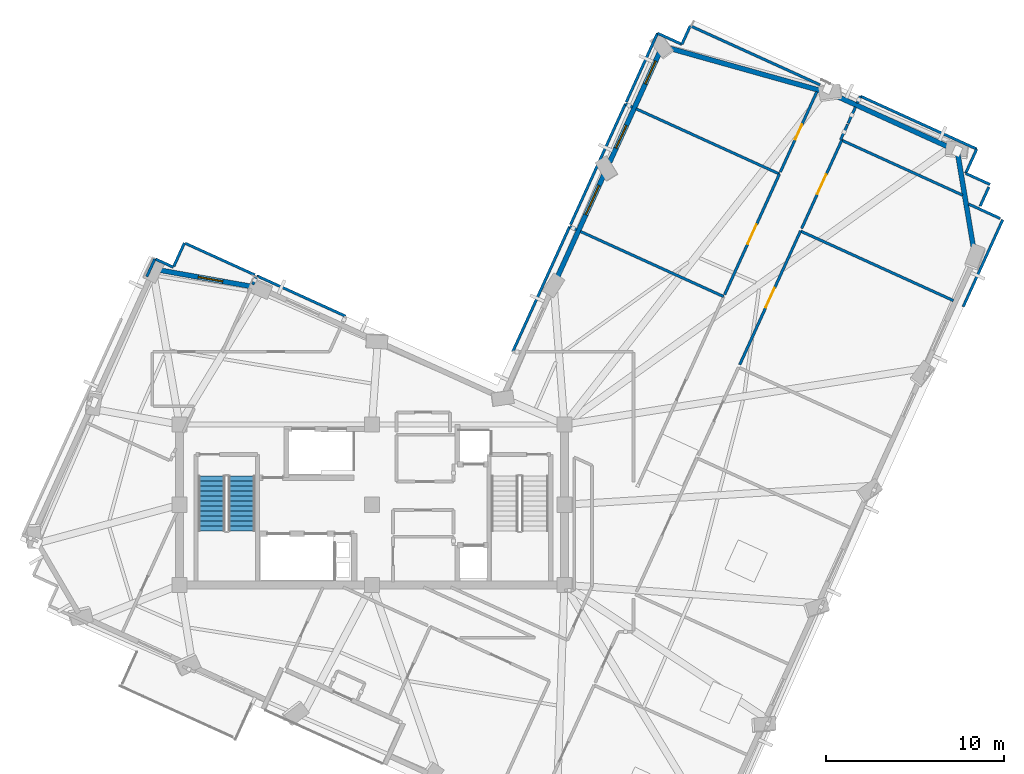
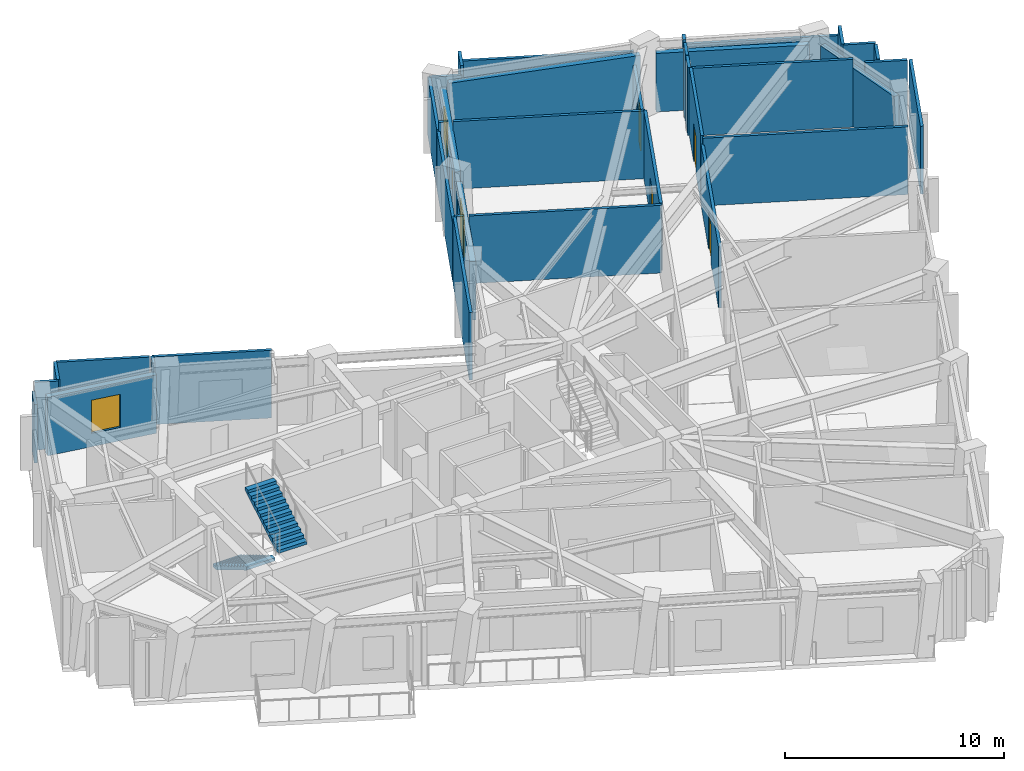
# One storey, part 8 of 13: 37 walls, 4 doors, 4 windows, 2 stair flights, 8 openings, 1 element without a shape of its own.
"""IFC4 building model written with IfcOpenShell, lengths in metres."""

from ifc_helpers import new_model, si_unit, direction, frame, frame_2d, origin, place, context, subcontext, project, spatial, polyline, rectangle, outline, extrude, material, layer, layer_set, type_object, element, fill, aggregate, save


model = new_model("IFC4")

# Units and contexts
model_context = context("Model", 3, precision=1e-05, world=origin(), true_north=direction((0.0, 1.0)))
body_context = subcontext(model_context, "Body", "Model", "MODEL_VIEW")
ifc_project = project(units=[si_unit("LENGTHUNIT", "METRE"), si_unit("AREAUNIT", "SQUARE_METRE"), si_unit("VOLUMEUNIT", "CUBIC_METRE"), si_unit("PLANEANGLEUNIT", "RADIAN"), si_unit("MASSUNIT", "GRAM", prefix="KILO")], contexts=[model_context])

# Site, building, storey
site_placement = place(None, origin())
site = spatial("IfcSite", under=ifc_project, at=site_placement, CompositionType="ELEMENT")
building_placement = place(site_placement, origin())
building = spatial("IfcBuilding", under=site, at=building_placement, Name="Gaonmaruhae Medical Tower", CompositionType="ELEMENT")
storey_placement = place(building_placement, frame((0.0, 0.0, 304.60009765625)))
storey = spatial("IfcBuildingStorey", under=building, at=storey_placement, Name="L73", CompositionType="ELEMENT", Elevation=304.60009765625)

# Walls
ifc_material_1 = material(Name="Precast concrete C45/55", Category="concrete")
ifc_layer_1 = layer(ifc_material_1, 0.280029296875)
ifc_layer_set_1 = layer_set([ifc_layer_1], Name="Precast concrete C45/55")
wall_type_1 = type_object("IfcWallType", Name="EW-280 Upper Precast Masonry-Frame Facade Wall", PredefinedType="SOLIDWALL", material=ifc_layer_set_1)
wall_1_placement = place(storey_placement, frame((57.682373046875, 31.967529296875, 0.0), z_axis=(0.0, 0.0, 1.0), x_axis=(0.165049562629, -0.986285274085, 0.0)))
element("IfcWall", 1, at=wall_1_placement, inside=storey, type_object=wall_type_1, Name="L73 Precast Masonry-Frame Wall S06-E01", PredefinedType="SOLIDWALL", context=body_context, shape_type="SweptSolid", body=[
    extrude(rectangle(XDim=5.2939453125, YDim=0.280029296875, at=frame_2d((2.64697265625, 0.0))), origin(), (0.0, 0.0, 1.0), 3.264892578125),
])
wall_2_placement = place(storey_placement, frame((50.776611328125, 35.280517578125, 0.0), z_axis=(0.0, 0.0, 1.0), x_axis=(0.910317820998, -0.413909971821, 0.0)))
element("IfcWall", 2, at=wall_2_placement, inside=storey, type_object=wall_type_1, Name="L73 Precast Masonry-Frame Wall E01-E02", PredefinedType="SOLIDWALL", context=body_context, shape_type="SweptSolid", body=[
    extrude(rectangle(XDim=7.046142578125, YDim=0.280029296875, at=frame_2d((3.52294921875, 0.0))), origin(), (0.0, 0.0, 1.0), 3.264892578125),
])
wall_3_placement = place(storey_placement, frame((41.36328125, 37.958740234375, 0.0), z_axis=(0.0, 0.0, 1.0), x_axis=(0.962879231583, -0.269932557107, 0.0)))
element("IfcWall", 3, at=wall_3_placement, inside=storey, type_object=wall_type_1, Name="L73 Precast Masonry-Frame Wall E02-E03", PredefinedType="SOLIDWALL", context=body_context, shape_type="SweptSolid", body=[
    extrude(rectangle(XDim=9.036376953125, YDim=0.280029296875, at=frame_2d((4.51806640625, 0.0))), origin(), (0.0, 0.0, 1.0), 3.264892578125),
])

# Wall, openings, windows
wall_4_placement = place(storey_placement, frame((38.141357421875, 31.526611328125, 0.0), z_axis=(0.0, 0.0, 1.0), x_axis=(0.413895186135, 0.910324543717, 0.0)))
wall_4 = element("IfcWall", 4, at=wall_4_placement, inside=storey, type_object=wall_type_1, Name="L73 Precast Masonry-Frame Wall E03-EN01", PredefinedType="SOLIDWALL", context=body_context, shape_type="SweptSolid", body=[
    extrude(rectangle(XDim=6.77978515625, YDim=0.280029296875, at=frame_2d((3.389892578125, 0.0))), origin(), (0.0, 0.0, 1.0), 3.264892578125),
])
opening_1_placement = place(wall_4_placement, frame((0.865966796875, 0.0, 0.75)))
opening_1 = element("IfcOpeningElement", 5, at=opening_1_placement, cuts=wall_4, Name="Opening WN-03", PredefinedType="OPENING", context=body_context, shape_type="SweptSolid", body=[
    extrude(rectangle(XDim=1.39990234375, YDim=1.85009765625, at=frame_2d((0.699951171875, 0.925048828125))), frame((0.0, 0.14990234375, 0.0), z_axis=(0.0, -1.0, 0.0), x_axis=(1.0, 0.0, 0.0)), (0.0, 0.0, 1.0), 0.300048828125),
])
opening_2_placement = place(wall_4_placement, frame((4.828857421875, 0.0, 0.75)))
opening_2 = element("IfcOpeningElement", 6, at=opening_2_placement, cuts=wall_4, Name="Opening WN-03", PredefinedType="OPENING", context=body_context, shape_type="SweptSolid", body=[
    extrude(rectangle(XDim=1.39990234375, YDim=1.85009765625, at=frame_2d((0.699951171875, 0.925048828125))), frame((0.0, 0.14990234375, 0.0), z_axis=(0.0, -1.0, 0.0), x_axis=(1.0, 0.0, 0.0)), (0.0, 0.0, 1.0), 0.300048828125),
])
ifc_material_2 = material(Name="Anodised aluminium and Low-E double glazing", Category="aluminium")
window_type_1 = type_object("IfcWindowType", Name="WN-03 Isolation Ward Punched Window 1400x1850", PartitioningType="SINGLE_PANEL", PredefinedType="WINDOW", material=ifc_material_2)
window_1_placement = place(opening_1_placement, origin())
window_1 = element("IfcWindow", 7, at=window_1_placement, inside=storey, type_object=window_type_1, Name="L73 Modular Facade Window E03", OverallHeight=1.85009765625, OverallWidth=1.39990234375, PartitioningType="SINGLE_PANEL", PredefinedType="WINDOW", context=body_context, shape_type="SweptSolid", body=[
    extrude(rectangle(XDim=1.39990234375, YDim=1.85009765625, at=frame_2d((0.699951171875, 0.925048828125))), frame((0.0, 0.030029296875, 0.0), z_axis=(0.0, -1.0, 0.0), x_axis=(1.0, 0.0, 0.0)), (0.0, 0.0, 1.0), 0.06005859375),
])
fill(opening_1, window_1)
window_2_placement = place(opening_2_placement, origin())
window_2 = element("IfcWindow", 8, at=window_2_placement, inside=storey, type_object=window_type_1, Name="L73 Modular Facade Window E03B", OverallHeight=1.85009765625, OverallWidth=1.39990234375, PartitioningType="SINGLE_PANEL", PredefinedType="WINDOW", context=body_context, shape_type="SweptSolid", body=[
    extrude(rectangle(XDim=1.39990234375, YDim=1.85009765625, at=frame_2d((0.699951171875, 0.925048828125))), frame((0.0, 0.030029296875, 0.0), z_axis=(0.0, -1.0, 0.0), x_axis=(1.0, 0.0, 0.0)), (0.0, 0.0, 1.0), 0.06005859375),
])
fill(opening_2, window_2)

# Wall, opening, window
wall_5_placement = place(storey_placement, frame((35.163818359375, 24.977294921875, 0.0), z_axis=(0.0, 0.0, 1.0), x_axis=(0.413860341101, 0.910340385825, 0.0)))
wall_5 = element("IfcWall", 9, at=wall_5_placement, inside=storey, type_object=wall_type_1, Name="L73 Precast Masonry-Frame Wall EN01-EN02", PredefinedType="SOLIDWALL", context=body_context, shape_type="SweptSolid", body=[
    extrude(rectangle(XDim=6.409423828125, YDim=0.280029296875, at=frame_2d((3.20458984375, 0.0))), origin(), (0.0, 0.0, 1.0), 3.264892578125),
])
opening_3_placement = place(wall_5_placement, frame((3.95556640625, 0.0, 0.75)))
opening_3 = element("IfcOpeningElement", 10, at=opening_3_placement, cuts=wall_5, Name="Opening WN-04", PredefinedType="OPENING", context=body_context, shape_type="SweptSolid", body=[
    extrude(rectangle(XDim=1.800048828125, YDim=2.050048828125, at=frame_2d((0.89990234375, 1.02490234375))), frame((0.0, 0.14990234375, 0.0), z_axis=(0.0, -1.0, 0.0), x_axis=(1.0, 0.0, 0.0)), (0.0, 0.0, 1.0), 0.300048828125),
])
window_type_2 = type_object("IfcWindowType", Name="WN-04 Clinic & Consult Punched Window 1800x2050", PartitioningType="SINGLE_PANEL", PredefinedType="WINDOW", material=ifc_material_2)
window_3_placement = place(opening_3_placement, origin())
window_3 = element("IfcWindow", 11, at=window_3_placement, inside=storey, type_object=window_type_2, Name="L73 Modular Facade Window EN01", OverallHeight=2.050048828125, OverallWidth=1.800048828125, PartitioningType="SINGLE_PANEL", PredefinedType="WINDOW", context=body_context, shape_type="SweptSolid", body=[
    extrude(rectangle(XDim=1.800048828125, YDim=2.050048828125, at=frame_2d((0.89990234375, 1.02490234375))), frame((0.0, 0.030029296875, 0.0), z_axis=(0.0, -1.0, 0.0), x_axis=(1.0, 0.0, 0.0)), (0.0, 0.0, 1.0), 0.06005859375),
])
fill(opening_3, window_3)

wall_6_placement = place(storey_placement, frame((12.940673828125, 25.455078125, 0.0), z_axis=(0.0, 0.0, 1.0), x_axis=(0.984598986334, -0.174828018664, 0.0)))
wall_6 = element("IfcWall", 12, at=wall_6_placement, inside=storey, type_object=wall_type_1, Name="L73 Precast Masonry-Frame Wall NE02-N01", PredefinedType="SOLIDWALL", context=body_context, shape_type="SweptSolid", body=[
    extrude(rectangle(XDim=5.30224609375, YDim=0.280029296875, at=frame_2d((2.651123046875, 0.0))), origin(), (0.0, 0.0, 1.0), 3.264892578125),
])
opening_4_placement = place(wall_6_placement, frame((2.13671875, 0.0, 0.75)))
opening_4 = element("IfcOpeningElement", 13, at=opening_4_placement, cuts=wall_6, Name="Opening WN-03", PredefinedType="OPENING", context=body_context, shape_type="SweptSolid", body=[
    extrude(rectangle(XDim=1.39990234375, YDim=1.85009765625, at=frame_2d((0.699951171875, 0.925048828125))), frame((0.0, 0.14990234375, 0.0), z_axis=(0.0, -1.0, 0.0), x_axis=(1.0, 0.0, 0.0)), (0.0, 0.0, 1.0), 0.300048828125),
])
window_4_placement = place(opening_4_placement, origin())
window_4 = element("IfcWindow", 14, at=window_4_placement, inside=storey, type_object=window_type_1, Name="L73 Modular Facade Window NE02", OverallHeight=1.85009765625, OverallWidth=1.39990234375, PartitioningType="SINGLE_PANEL", PredefinedType="WINDOW", context=body_context, shape_type="SweptSolid", body=[
    extrude(rectangle(XDim=1.39990234375, YDim=1.85009765625, at=frame_2d((0.699951171875, 0.925048828125))), frame((0.0, 0.030029296875, 0.0), z_axis=(0.0, -1.0, 0.0), x_axis=(1.0, 0.0, 0.0)), (0.0, 0.0, 1.0), 0.06005859375),
])
fill(opening_4, window_4)

# Wall, opening, door
ifc_material_3 = material(Name="Gypsum board partition", Category="gypsum")
ifc_layer_2 = layer(ifc_material_3, 0.14990234375)
ifc_layer_set_2 = layer_set([ifc_layer_2], Name="Gypsum board partition")
wall_type_2 = type_object("IfcWallType", Name="PW-150 Rated Clinical Corridor Partition", PredefinedType="PARTITIONING", material=ifc_layer_set_2)
wall_7_placement = place(storey_placement, frame((45.43994140625, 20.157958984375, 0.0), z_axis=(0.0, 0.0, 1.0), x_axis=(0.413963660089, 0.910293407713, 0.0)))
wall_7 = element("IfcWall", 15, at=wall_7_placement, inside=storey, type_object=wall_type_2, Name="L73 Interior Partition L73-SUP05-33", PredefinedType="PARTITIONING", context=body_context, shape_type="SweptSolid", body=[
    extrude(rectangle(XDim=8.240234375, YDim=0.14990234375, at=frame_2d((4.1201171875, 0.0))), origin(), (0.0, 0.0, 1.0), 3.414794921875),
])
opening_5_placement = place(wall_7_placement, frame((3.52001953125, 0.0, 0.0)))
opening_5 = element("IfcOpeningElement", 16, at=opening_5_placement, cuts=wall_7, Name="Opening CD-02", PredefinedType="OPENING", context=body_context, shape_type="SweptSolid", body=[
    extrude(rectangle(XDim=1.199951171875, YDim=2.14990234375, at=frame_2d((0.60009765625, 1.074951171875))), frame((0.0, 0.0849609375, 0.0), z_axis=(0.0, -1.0, 0.0), x_axis=(1.0, 0.0, 0.0)), (0.0, 0.0, 1.0), 0.169921875),
])
ifc_material_4 = material(Name="Antimicrobial laminate timber fire door", Category="wood")
door_type_1 = type_object("IfcDoorType", Name="CD-02 Clinical Treatment & Procedure Door 1200x2150", OperationType="NOTDEFINED", PredefinedType="DOOR", material=ifc_material_4)
door_1_placement = place(opening_5_placement, origin())
door_1 = element("IfcDoor", 17, at=door_1_placement, inside=storey, type_object=door_type_1, Name="L73 Clinical Biomedical Charting Office Door", OperationType="SINGLE_SWING_RIGHT", OverallHeight=2.14990234375, OverallWidth=1.199951171875, PredefinedType="DOOR", context=body_context, shape_type="SweptSolid", body=[
    extrude(rectangle(XDim=1.199951171875, YDim=2.14990234375, at=frame_2d((0.60009765625, 1.074951171875))), frame((0.0, 0.02490234375, 0.0), z_axis=(0.0, -1.0, 0.0), x_axis=(1.0, 0.0, 0.0)), (0.0, 0.0, 1.0), 0.050048828125),
])
fill(opening_5, door_1)

# Wall
wall_8_placement = place(storey_placement, frame((48.85107421875, 27.658935546875, 0.0), z_axis=(0.0, 0.0, 1.0), x_axis=(0.910326595448, -0.413890673513, 0.0)))
element("IfcWall", 18, at=wall_8_placement, inside=storey, type_object=wall_type_2, Name="L73 Interior Partition L73-SUP05-34", PredefinedType="PARTITIONING", context=body_context, shape_type="SweptSolid", body=[
    extrude(rectangle(XDim=9.434814453125, YDim=0.14990234375, at=frame_2d((4.71728515625, 0.0))), origin(), (0.0, 0.0, 1.0), 3.77978515625),
])

# Wall, opening, door
wall_9_placement = place(storey_placement, frame((48.9169921875, 27.804931640625, 0.0), z_axis=(0.0, 0.0, 1.0), x_axis=(0.413951711355, 0.910298841406, 0.0)))
wall_9 = element("IfcWall", 19, at=wall_9_placement, inside=storey, type_object=wall_type_2, Name="L73 Interior Partition L73-SUP06-37", PredefinedType="PARTITIONING", context=body_context, shape_type="SweptSolid", body=[
    extrude(rectangle(XDim=5.440185546875, YDim=0.14990234375, at=frame_2d((2.72021484375, 0.0))), origin(), (0.0, 0.0, 1.0), 3.77978515625),
])
opening_6_placement = place(wall_9_placement, frame((2.1201171875, 0.0, 0.0)))
opening_6 = element("IfcOpeningElement", 20, at=opening_6_placement, cuts=wall_9, Name="Opening CD-02", PredefinedType="OPENING", context=body_context, shape_type="SweptSolid", body=[
    extrude(rectangle(XDim=1.199951171875, YDim=2.14990234375, at=frame_2d((0.60009765625, 1.074951171875))), frame((0.0, 0.0849609375, 0.0), z_axis=(0.0, -1.0, 0.0), x_axis=(1.0, 0.0, 0.0)), (0.0, 0.0, 1.0), 0.169921875),
])
door_2_placement = place(opening_6_placement, origin())
door_2 = element("IfcDoor", 21, at=door_2_placement, inside=storey, type_object=door_type_1, Name="L73 Clinical Biomedical Charting Office Door", OperationType="SINGLE_SWING_RIGHT", OverallHeight=2.14990234375, OverallWidth=1.199951171875, PredefinedType="DOOR", context=body_context, shape_type="SweptSolid", body=[
    extrude(rectangle(XDim=1.199951171875, YDim=2.14990234375, at=frame_2d((0.60009765625, 1.074951171875))), frame((0.0, 0.02490234375, 0.0), z_axis=(0.0, -1.0, 0.0), x_axis=(1.0, 0.0, 0.0)), (0.0, 0.0, 1.0), 0.050048828125),
])
fill(opening_6, door_2)

# Walls
wall_10_placement = place(storey_placement, frame((51.1689453125, 32.757080078125, 0.0), z_axis=(0.0, 0.0, 1.0), x_axis=(0.910329433421, -0.413884431512, 0.0)))
element("IfcWall", 22, at=wall_10_placement, inside=storey, type_object=wall_type_2, Name="L73 Interior Partition L73-SUP06-38", PredefinedType="PARTITIONING", context=body_context, shape_type="SweptSolid", body=[
    extrude(rectangle(XDim=7.448974609375, YDim=0.14990234375, at=frame_2d((3.724609375, 0.0))), origin(), (0.0, 0.0, 1.0), 3.77978515625),
])
wall_11_placement = place(storey_placement, frame((58.283935546875, 29.176025390625, 0.0), z_axis=(0.0, 0.0, 1.0), x_axis=(0.910130559236, -0.414321572146, 0.0)))
element("IfcWall", 23, at=wall_11_placement, inside=storey, type_object=wall_type_2, Name="L73 Interior Partition L73-SUP06-40", PredefinedType="PARTITIONING", context=body_context, shape_type="SweptSolid", body=[
    extrude(rectangle(XDim=1.950439453125, YDim=0.14990234375, at=frame_2d((0.97509765625, 0.0))), origin(), (0.0, 0.0, 1.0), 3.77978515625),
])
wall_12_placement = place(storey_placement, frame((32.696044921875, 20.8798828125, 0.0), z_axis=(0.0, 0.0, 1.0), x_axis=(0.413919598697, 0.910313443718, 0.0)))
element("IfcWall", 24, at=wall_12_placement, inside=storey, type_object=wall_type_2, Name="L73 Interior Partition L73-IE02-68", PredefinedType="PARTITIONING", context=body_context, shape_type="SweptSolid", body=[
    extrude(rectangle(XDim=7.72607421875, YDim=0.14990234375, at=frame_2d((3.863037109375, 0.0))), origin(), (0.0, 0.0, 1.0), 3.77978515625),
])
wall_13_placement = place(storey_placement, frame((35.89404296875, 27.9130859375, 0.0), z_axis=(0.0, 0.0, 1.0), x_axis=(0.910212670279, -0.414141153308, 0.0)))
element("IfcWall", 25, at=wall_13_placement, inside=storey, type_object=wall_type_2, Name="L73 Interior Partition L73-IE02-69", PredefinedType="PARTITIONING", context=body_context, shape_type="SweptSolid", body=[
    extrude(rectangle(XDim=0.43505859375, YDim=0.14990234375, at=frame_2d((0.217529296875, 0.0))), origin(), (0.0, 0.0, 1.0), 3.77978515625),
])
wall_14_placement = place(storey_placement, frame((36.5, 27.637939453125, 0.0), z_axis=(0.0, 0.0, 1.0), x_axis=(0.910301163937, -0.413946603965, 0.0)))
element("IfcWall", 26, at=wall_14_placement, inside=storey, type_object=wall_type_2, Name="L73 Interior Partition L73-IE02-70", PredefinedType="PARTITIONING", context=body_context, shape_type="SweptSolid", body=[
    extrude(rectangle(XDim=8.83447265625, YDim=0.14990234375, at=frame_2d((4.417236328125, 0.0))), origin(), (0.0, 0.0, 1.0), 3.77978515625),
])

# Wall, opening, door
wall_15_placement = place(storey_placement, frame((47.6708984375, 30.862060546875, 0.0), z_axis=(0.0, 0.0, 1.0), x_axis=(-0.41387959528, -0.910331632215, 0.0)))
wall_15 = element("IfcWall", 27, at=wall_15_placement, inside=storey, type_object=wall_type_2, Name="L73 Interior Partition L73-IE03-73", PredefinedType="PARTITIONING", context=body_context, shape_type="SweptSolid", body=[
    extrude(rectangle(XDim=7.43896484375, YDim=0.14990234375, at=frame_2d((3.719482421875, 0.0))), origin(), (0.0, 0.0, 1.0), 3.77978515625),
])
opening_7_placement = place(wall_15_placement, frame((3.11962890625, 0.0, 0.0)))
opening_7 = element("IfcOpeningElement", 28, at=opening_7_placement, cuts=wall_15, Name="Opening CD-02", PredefinedType="OPENING", context=body_context, shape_type="SweptSolid", body=[
    extrude(rectangle(XDim=1.199951171875, YDim=2.14990234375, at=frame_2d((0.60009765625, 1.074951171875))), frame((0.0, 0.0849609375, 0.0), z_axis=(0.0, -1.0, 0.0), x_axis=(1.0, 0.0, 0.0)), (0.0, 0.0, 1.0), 0.169921875),
])
door_3_placement = place(opening_7_placement, origin())
door_3 = element("IfcDoor", 29, at=door_3_placement, inside=storey, type_object=door_type_1, Name="L73 Clean Medication Preparation Room Door", OperationType="SINGLE_SWING_LEFT", OverallHeight=2.14990234375, OverallWidth=1.199951171875, PredefinedType="DOOR", context=body_context, shape_type="SweptSolid", body=[
    extrude(rectangle(XDim=1.199951171875, YDim=2.14990234375, at=frame_2d((0.60009765625, 1.074951171875))), frame((0.0, 0.02490234375, 0.0), z_axis=(0.0, -1.0, 0.0), x_axis=(1.0, 0.0, 0.0)), (0.0, 0.0, 1.0), 0.050048828125),
])
fill(opening_7, door_3)

# Walls
wall_16_placement = place(storey_placement, frame((35.944091796875, 28.02197265625, 0.0), z_axis=(0.0, 0.0, 1.0), x_axis=(0.41387959528, 0.910331632215, 0.0)))
element("IfcWall", 30, at=wall_16_placement, inside=storey, type_object=wall_type_2, Name="L73 Interior Partition L73-IE03-74", PredefinedType="PARTITIONING", context=body_context, shape_type="SweptSolid", body=[
    extrude(rectangle(XDim=7.43896484375, YDim=0.14990234375, at=frame_2d((3.719482421875, 0.0))), origin(), (0.0, 0.0, 1.0), 3.264892578125),
])
wall_17_placement = place(storey_placement, frame((39.02294921875, 34.7939453125, 0.0), z_axis=(0.0, 0.0, 1.0), x_axis=(0.910424136148, -0.413676071727, 0.0)))
element("IfcWall", 31, at=wall_17_placement, inside=storey, type_object=wall_type_2, Name="L73 Interior Partition L73-IE03-75", PredefinedType="PARTITIONING", context=body_context, shape_type="SweptSolid", body=[
    extrude(rectangle(XDim=0.43505859375, YDim=0.14990234375, at=frame_2d((0.217529296875, 0.0))), origin(), (0.0, 0.0, 1.0), 3.77978515625),
])
wall_18_placement = place(storey_placement, frame((39.6279296875, 34.51904296875, 0.0), z_axis=(0.0, 0.0, 1.0), x_axis=(0.910320102394, -0.413904954279, 0.0)))
element("IfcWall", 32, at=wall_18_placement, inside=storey, type_object=wall_type_2, Name="L73 Interior Partition L73-IE03-76", PredefinedType="PARTITIONING", context=body_context, shape_type="SweptSolid", body=[
    extrude(rectangle(XDim=8.835205078125, YDim=0.14990234375, at=frame_2d((4.41748046875, 0.0))), origin(), (0.0, 0.0, 1.0), 3.77978515625),
])
wall_19_placement = place(storey_placement, frame((42.19189453125, 38.139892578125, 0.0), z_axis=(0.0, 0.0, 1.0), x_axis=(0.414028740903, 0.910263808852, 0.0)))
element("IfcWall", 33, at=wall_19_placement, inside=storey, type_object=wall_type_2, Name="L73 Interior Partition L73-IE04-77", PredefinedType="PARTITIONING", context=body_context, shape_type="SweptSolid", body=[
    extrude(rectangle(XDim=1.140380859375, YDim=0.14990234375, at=frame_2d((0.5703125, 0.0))), origin(), (0.0, 0.0, 1.0), 3.77978515625),
])
wall_20_placement = place(storey_placement, frame((42.6640625, 39.177978515625, 0.0), z_axis=(0.0, 0.0, 1.0), x_axis=(0.910317346535, -0.413911015312, 0.0)))
element("IfcWall", 34, at=wall_20_placement, inside=storey, type_object=wall_type_2, Name="L73 Interior Partition L73-IE04-78", PredefinedType="PARTITIONING", context=body_context, shape_type="SweptSolid", body=[
    extrude(rectangle(XDim=7.999267578125, YDim=0.14990234375, at=frame_2d((3.99951171875, 0.0))), origin(), (0.0, 0.0, 1.0), 3.264892578125),
])

# Wall, opening, door
wall_21_placement = place(storey_placement, frame((49.77099609375, 35.48193359375, 0.0), z_axis=(0.0, 0.0, 1.0), x_axis=(-0.413736122394, -0.910396848098, 0.0)))
wall_21 = element("IfcWall", 35, at=wall_21_placement, inside=storey, type_object=wall_type_2, Name="L73 Interior Partition L73-IE04-79", PredefinedType="PARTITIONING", context=body_context, shape_type="SweptSolid", body=[
    extrude(rectangle(XDim=4.955078125, YDim=0.14990234375, at=frame_2d((2.4775390625, 0.0))), origin(), (0.0, 0.0, 1.0), 2.764892578125),
])
opening_8_placement = place(wall_21_placement, frame((2.017578125, 0.0, 0.0)))
opening_8 = element("IfcOpeningElement", 36, at=opening_8_placement, cuts=wall_21, Name="Opening UD-01", PredefinedType="OPENING", context=body_context, shape_type="SweptSolid", body=[
    extrude(rectangle(XDim=0.919921875, YDim=2.10009765625, at=frame_2d((0.4599609375, 1.050048828125))), frame((0.0, 0.0849609375, 0.0), z_axis=(0.0, -1.0, 0.0), x_axis=(1.0, 0.0, 0.0)), (0.0, 0.0, 1.0), 0.169921875),
])
ifc_material_5 = material(Name="Powder-coated steel utility door", Category="steel")
door_type_2 = type_object("IfcDoorType", Name="UD-01 Toilet, Utility & Housekeeping Door 920x2100", OperationType="NOTDEFINED", PredefinedType="DOOR", material=ifc_material_5)
door_4_placement = place(opening_8_placement, origin())
door_4 = element("IfcDoor", 37, at=door_4_placement, inside=storey, type_object=door_type_2, Name="L73 Accessible Public Toilet Door", OperationType="SINGLE_SWING_LEFT", OverallHeight=2.10009765625, OverallWidth=0.919921875, PredefinedType="DOOR", context=body_context, shape_type="SweptSolid", body=[
    extrude(rectangle(XDim=0.919921875, YDim=2.10009765625, at=frame_2d((0.4599609375, 1.050048828125))), frame((0.0, 0.02490234375, 0.0), z_axis=(0.0, -1.0, 0.0), x_axis=(1.0, 0.0, 0.0)), (0.0, 0.0, 1.0), 0.050048828125),
])
fill(opening_8, door_4)

# Walls
wall_22_placement = place(storey_placement, frame((39.072998046875, 34.903076171875, 0.0), z_axis=(0.0, 0.0, 1.0), x_axis=(0.413672715322, 0.910425661215, 0.0)))
element("IfcWall", 38, at=wall_22_placement, inside=storey, type_object=wall_type_2, Name="L73 Interior Partition L73-IE04-80", PredefinedType="PARTITIONING", context=body_context, shape_type="SweptSolid", body=[
    extrude(rectangle(XDim=4.237548828125, YDim=0.14990234375, at=frame_2d((2.11865234375, 0.0))), origin(), (0.0, 0.0, 1.0), 3.264892578125),
])
wall_23_placement = place(storey_placement, frame((40.825927734375, 38.760986328125, 0.0), z_axis=(0.0, 0.0, 1.0), x_axis=(0.910316322976, -0.413913266426, 0.0)))
element("IfcWall", 39, at=wall_23_placement, inside=storey, type_object=wall_type_2, Name="L73 Interior Partition L73-IE04-81", PredefinedType="PARTITIONING", context=body_context, shape_type="SweptSolid", body=[
    extrude(rectangle(XDim=1.50048828125, YDim=0.14990234375, at=frame_2d((0.750244140625, 0.0))), origin(), (0.0, 0.0, 1.0), 3.264892578125),
])
wall_24_placement = place(storey_placement, frame((18.3359375, 25.14892578125, 0.0), z_axis=(0.0, 0.0, 1.0), x_axis=(0.910329852278, -0.413883510245, 0.0)))
element("IfcWall", 40, at=wall_24_placement, inside=storey, type_object=wall_type_2, Name="L73 Interior Partition L73-IN02-82", PredefinedType="PARTITIONING", context=body_context, shape_type="SweptSolid", body=[
    extrude(rectangle(XDim=5.4794921875, YDim=0.14990234375, at=frame_2d((2.73974609375, 0.0))), origin(), (0.0, 0.0, 1.0), 3.77978515625),
])
wall_25_placement = place(storey_placement, frame((18.111083984375, 24.654052734375, 0.0), z_axis=(0.0, 0.0, 1.0), x_axis=(0.413667579313, 0.91042799486, 0.0)))
element("IfcWall", 41, at=wall_25_placement, inside=storey, type_object=wall_type_2, Name="L73 Interior Partition L73-IN02-87", PredefinedType="PARTITIONING", context=body_context, shape_type="SweptSolid", body=[
    extrude(rectangle(XDim=0.54345703125, YDim=0.14990234375, at=frame_2d((0.271728515625, 0.0))), origin(), (0.0, 0.0, 1.0), 3.77978515625),
])
wall_26_placement = place(storey_placement, frame((12.160888671875, 25.097900390625, 0.0), z_axis=(0.0, 0.0, 1.0), x_axis=(0.413519388527, 0.910495313174, 0.0)))
element("IfcWall", 42, at=wall_26_placement, inside=storey, type_object=wall_type_2, Name="L73 Interior Partition L73-IN03-94", PredefinedType="PARTITIONING", context=body_context, shape_type="SweptSolid", body=[
    extrude(rectangle(XDim=1.102783203125, YDim=0.14990234375, at=frame_2d((0.55126953125, 0.0))), origin(), (0.0, 0.0, 1.0), 3.264892578125),
])
wall_27_placement = place(storey_placement, frame((12.6630859375, 26.0810546875, 0.0), z_axis=(0.0, 0.0, 1.0), x_axis=(0.910266708037, -0.414022366835, 0.0)))
element("IfcWall", 43, at=wall_27_placement, inside=storey, type_object=wall_type_2, Name="L73 Interior Partition L73-IN03-95", PredefinedType="PARTITIONING", context=body_context, shape_type="SweptSolid", body=[
    extrude(rectangle(XDim=1.08984375, YDim=0.14990234375, at=frame_2d((0.544921875, 0.0))), origin(), (0.0, 0.0, 1.0), 3.77978515625),
])
wall_28_placement = place(storey_placement, frame((13.676025390625, 25.676025390625, 0.0), z_axis=(0.0, 0.0, 1.0), x_axis=(0.413955262856, 0.910297226379, 0.0)))
element("IfcWall", 44, at=wall_28_placement, inside=storey, type_object=wall_type_2, Name="L73 Interior Partition L73-IN03-96", PredefinedType="PARTITIONING", context=body_context, shape_type="SweptSolid", body=[
    extrude(rectangle(XDim=1.448974609375, YDim=0.14990234375, at=frame_2d((0.724609375, 0.0))), origin(), (0.0, 0.0, 1.0), 3.77978515625),
])
wall_29_placement = place(storey_placement, frame((14.322021484375, 26.97412109375, 0.0), z_axis=(0.0, 0.0, 1.0), x_axis=(0.910315782424, -0.413914455256, 0.0)))
element("IfcWall", 45, at=wall_29_placement, inside=storey, type_object=wall_type_2, Name="L73 Interior Partition L73-IN03-97", PredefinedType="PARTITIONING", context=body_context, shape_type="SweptSolid", body=[
    extrude(rectangle(XDim=4.28857421875, YDim=0.14990234375, at=frame_2d((2.144287109375, 0.0))), origin(), (0.0, 0.0, 1.0), 3.77978515625),
])
wall_30_placement = place(storey_placement, frame((60.205078125, 28.302001953125, 0.0), z_axis=(0.0, 0.0, 1.0), x_axis=(-0.413861181476, -0.910340003772, 0.0)))
element("IfcWall", 46, at=wall_30_placement, inside=storey, type_object=wall_type_2, Name="L73 Interior Partition L73-RM05-105", PredefinedType="PARTITIONING", context=body_context, shape_type="SweptSolid", body=[
    extrude(rectangle(XDim=5.369384765625, YDim=0.14990234375, at=frame_2d((2.6845703125, 0.0))), origin(), (0.0, 0.0, 1.0), 3.77978515625),
])
wall_31_placement = place(storey_placement, frame((51.10498046875, 32.785888671875, 0.0), z_axis=(0.0, 0.0, 1.0), x_axis=(0.4137644099, 0.910383992116, 0.0)))
element("IfcWall", 47, at=wall_31_placement, inside=storey, type_object=wall_type_2, Name="L73 Interior Partition L73-RM05-106", PredefinedType="PARTITIONING", context=body_context, shape_type="SweptSolid", body=[
    extrude(rectangle(XDim=0.95458984375, YDim=0.14990234375, at=frame_2d((0.477294921875, 0.0))), origin(), (0.0, 0.0, 1.0), 3.77978515625),
])
wall_32_placement = place(storey_placement, frame((59.422119140625, 30.1298828125, 0.0), z_axis=(0.0, 0.0, 1.0), x_axis=(-0.413709385682, -0.910408998307, 0.0)))
element("IfcWall", 48, at=wall_32_placement, inside=storey, type_object=wall_type_2, Name="L73 Interior Partition L73-RM05-109", PredefinedType="PARTITIONING", context=body_context, shape_type="SweptSolid", body=[
    extrude(rectangle(XDim=1.1796875, YDim=0.14990234375, at=frame_2d((0.58984375, 0.0))), origin(), (0.0, 0.0, 1.0), 3.77978515625),
])
wall_33_placement = place(storey_placement, frame((58.123046875, 30.89697265625, 0.0), z_axis=(0.0, 0.0, 1.0), x_axis=(0.91020472483, -0.414158615626, 0.0)))
element("IfcWall", 49, at=wall_33_placement, inside=storey, type_object=wall_type_2, Name="L73 Interior Partition L73-RM06-110", PredefinedType="PARTITIONING", context=body_context, shape_type="SweptSolid", body=[
    extrude(rectangle(XDim=1.499755859375, YDim=0.14990234375, at=frame_2d((0.75, 0.0))), origin(), (0.0, 0.0, 1.0), 3.77978515625),
])
wall_34_placement = place(storey_placement, frame((51.52490234375, 33.7099609375, 0.0), z_axis=(0.0, 0.0, 1.0), x_axis=(0.413876141201, 0.910333202594, 0.0)))
element("IfcWall", 50, at=wall_34_placement, inside=storey, type_object=wall_type_2, Name="L73 Interior Partition L73-RM06-111", PredefinedType="PARTITIONING", context=body_context, shape_type="SweptSolid", body=[
    extrude(rectangle(XDim=1.005126953125, YDim=0.14990234375, at=frame_2d((0.50244140625, 0.0))), origin(), (0.0, 0.0, 1.0), 3.77978515625),
])
wall_35_placement = place(storey_placement, frame((52.035888671875, 34.833984375, 0.0), z_axis=(0.0, 0.0, 1.0), x_axis=(0.414141153308, 0.910212670279, 0.0)))
element("IfcWall", 51, at=wall_35_placement, inside=storey, type_object=wall_type_2, Name="L73 Interior Partition L73-RM06-112", PredefinedType="PARTITIONING", context=body_context, shape_type="SweptSolid", body=[
    extrude(rectangle(XDim=0.43505859375, YDim=0.14990234375, at=frame_2d((0.217529296875, 0.0))), origin(), (0.0, 0.0, 1.0), 3.77978515625),
])
wall_36_placement = place(storey_placement, frame((52.216064453125, 35.22998046875, 0.0), z_axis=(0.0, 0.0, 1.0), x_axis=(0.91029999772, -0.41394916856, 0.0)))
element("IfcWall", 52, at=wall_36_placement, inside=storey, type_object=wall_type_2, Name="L73 Interior Partition L73-RM06-113", PredefinedType="PARTITIONING", context=body_context, shape_type="SweptSolid", body=[
    extrude(rectangle(XDim=7.169921875, YDim=0.14990234375, at=frame_2d((3.5849609375, 0.0))), origin(), (0.0, 0.0, 1.0), 3.264892578125),
])
wall_37_placement = place(storey_placement, frame((58.742919921875, 32.261962890625, 0.0), z_axis=(0.0, 0.0, 1.0), x_axis=(-0.413483905377, -0.910511427712, 0.0)))
element("IfcWall", 53, at=wall_37_placement, inside=storey, type_object=wall_type_2, Name="L73 Interior Partition L73-RM06-114", PredefinedType="PARTITIONING", context=body_context, shape_type="SweptSolid", body=[
    extrude(rectangle(XDim=1.499267578125, YDim=0.14990234375, at=frame_2d((0.74951171875, 0.0))), origin(), (0.0, 0.0, 1.0), 3.77978515625),
])

# Stair, stair flights
ifc_material_6 = material(Name="Concrete C40/50", Category="concrete")
stair_type = type_object("IfcStairType", Name="ST-T1 Primary Core Escape Dogleg Stair", PredefinedType="TWO_QUARTER_TURN_STAIR", material=ifc_material_6)
stair_placement = place(storey_placement, origin())
stair = element("IfcStair", 54, at=stair_placement, inside=storey, type_object=stair_type, Name="L73 Protected Escape Stair ST-01", PredefinedType="TWO_QUARTER_TURN_STAIR")
stair_flight_type = type_object("IfcStairFlightType", Name="SF-T1 Primary Core Precast Stair Flight", PredefinedType="STRAIGHT", material=ifc_material_6)
stair_flight_1_placement = place(storey_placement, frame((15.800048828125, 13.89990234375, 0.0), z_axis=(0.0, 0.0, 1.0), x_axis=(0.0, -1.0, 0.0)))
stair_flight_1 = element("IfcStairFlight", 55, at=stair_flight_1_placement, type_object=stair_flight_type, Name="ST-01 flight 1", NumberOfRisers=12, NumberOfTreads=11, PredefinedType="STRAIGHT", RiserHeight=0.166666667, TreadLength=0.28, context=body_context, shape_type="SweptSolid", body=[
    extrude(outline(polyline([(0.0, 0.0), (0.0, 0.166748046875), (0.280029296875, 0.166748046875), (0.280029296875, 0.333251953125), (0.56005859375, 0.333251953125), (0.56005859375, 0.5), (0.840087890625, 0.5), (0.840087890625, 0.666748046875), (1.1201171875, 0.666748046875), (1.1201171875, 0.833251953125), (1.39990234375, 0.833251953125), (1.39990234375, 1.0), (1.679931640625, 1.0), (1.679931640625, 1.166748046875), (1.9599609375, 1.166748046875), (1.9599609375, 1.333251953125), (2.239990234375, 1.333251953125), (2.239990234375, 1.5), (2.52001953125, 1.5), (2.52001953125, 1.666748046875), (2.800048828125, 1.666748046875), (2.800048828125, 1.833251953125), (3.080078125, 1.833251953125), (3.080078125, 2.0), (3.080078125, 1.658935546875), (0.29296875, 0.0), (0.0, 0.0)])), frame((0.0, 0.75, 0.0), z_axis=(0.0, -1.0, 0.0), x_axis=(1.0, 0.0, 0.0)), (0.0, 0.0, 1.0), 1.5),
])
stair_flight_2_placement = place(storey_placement, frame((17.5, 10.820068359375, 2.0), z_axis=(0.0, 0.0, 1.0), x_axis=(0.0, 1.0, 0.0)))
stair_flight_2 = element("IfcStairFlight", 56, at=stair_flight_2_placement, type_object=stair_flight_type, Name="ST-01 flight 2", NumberOfRisers=12, NumberOfTreads=11, PredefinedType="STRAIGHT", RiserHeight=0.166666667, TreadLength=0.28, context=body_context, shape_type="SweptSolid", body=[
    extrude(outline(polyline([(0.0, 0.0), (0.0, 0.166748046875), (0.280029296875, 0.166748046875), (0.280029296875, 0.333251953125), (0.56005859375, 0.333251953125), (0.56005859375, 0.5), (0.840087890625, 0.5), (0.840087890625, 0.666748046875), (1.1201171875, 0.666748046875), (1.1201171875, 0.833251953125), (1.39990234375, 0.833251953125), (1.39990234375, 1.0), (1.679931640625, 1.0), (1.679931640625, 1.166748046875), (1.9599609375, 1.166748046875), (1.9599609375, 1.333251953125), (2.239990234375, 1.333251953125), (2.239990234375, 1.5), (2.52001953125, 1.5), (2.52001953125, 1.666748046875), (2.800048828125, 1.666748046875), (2.800048828125, 1.833251953125), (3.080078125, 1.833251953125), (3.080078125, 2.0), (3.080078125, 1.658935546875), (0.29296875, 0.0), (0.0, 0.0)])), frame((0.0, 0.75, 0.0), z_axis=(0.0, -1.0, 0.0), x_axis=(1.0, 0.0, 0.0)), (0.0, 0.0, 1.0), 1.5),
])
aggregate(stair, [stair_flight_1, stair_flight_2])

save(model, "model.ifc")
